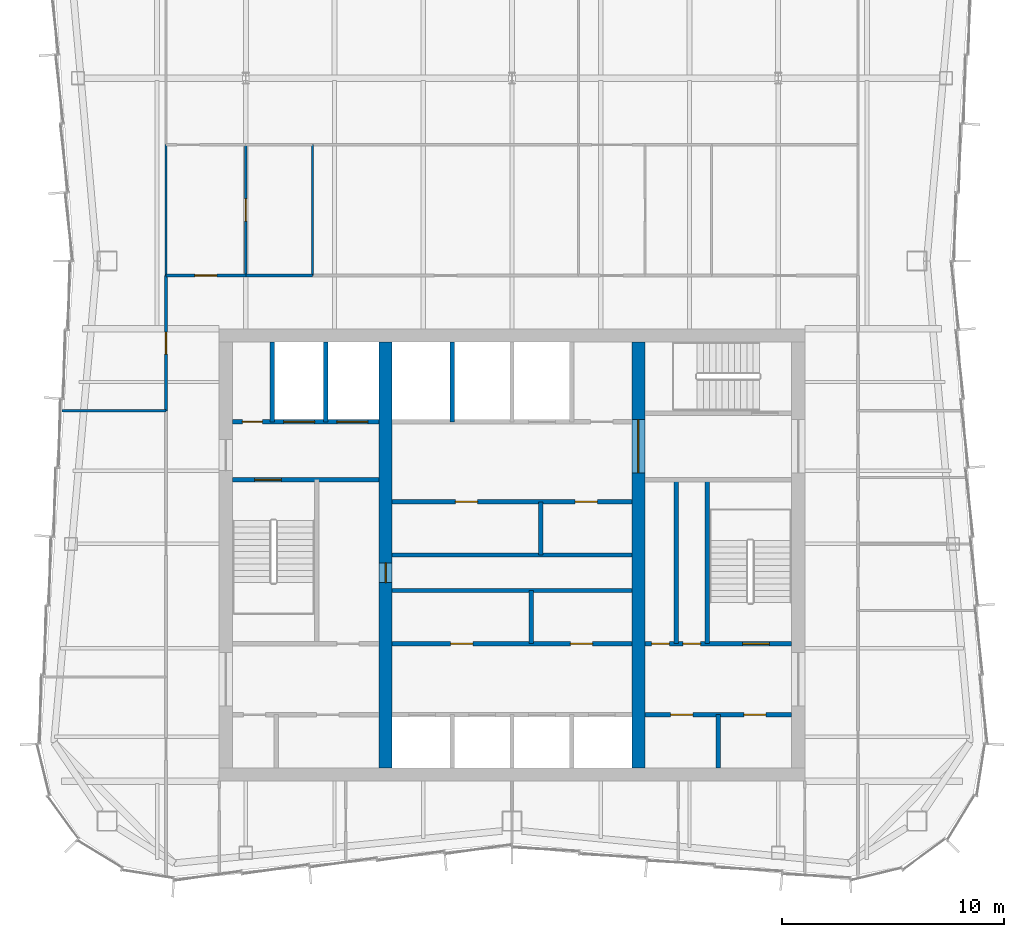
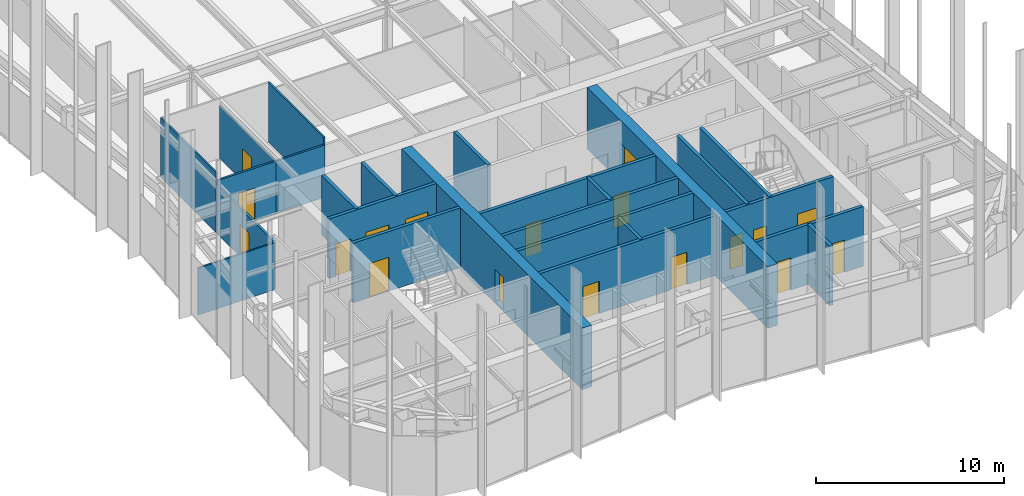
# One storey, part 10 of 13: 25 walls, 18 doors, 18 openings.
"""IFC4 building model written with IfcOpenShell, lengths in metres."""

from ifc_helpers import new_model, si_unit, direction, frame, frame_2d, origin, place, context, subcontext, project, spatial, rectangle, extrude, material, layer, layer_set, type_object, element, fill, save


model = new_model("IFC4")

# Units and contexts
model_context = context("Model", 3, precision=1e-05, world=origin(), true_north=direction((0.0, 1.0)))
body_context = subcontext(model_context, "Body", "Model", "MODEL_VIEW")
ifc_project = project(units=[si_unit("LENGTHUNIT", "METRE"), si_unit("AREAUNIT", "SQUARE_METRE"), si_unit("VOLUMEUNIT", "CUBIC_METRE"), si_unit("PLANEANGLEUNIT", "RADIAN"), si_unit("MASSUNIT", "GRAM", prefix="KILO")], contexts=[model_context])

# Site, building, storey
site_placement = place(None, origin())
site = spatial("IfcSite", under=ifc_project, at=site_placement, CompositionType="ELEMENT")
building_placement = place(site_placement, origin())
building = spatial("IfcBuilding", under=site, at=building_placement, Name="Verdant Reach Tower", CompositionType="ELEMENT")
storey_placement = place(building_placement, frame((0.0, 0.0, 294.0)))
storey = spatial("IfcBuildingStorey", under=building, at=storey_placement, Name="L67", CompositionType="ELEMENT", Elevation=294.0)

# Wall, openings, doors
ifc_material_1 = material(Name="Gypsum board on steel studs", Category="steel")
ifc_layer_1 = layer(ifc_material_1, 0.199951171875)
ifc_layer_set_1 = layer_set([ifc_layer_1], Name="CO-WALL-ROOM")
wall_type_1 = type_object("IfcWallType", Name="CO-WALL-ROOM", PredefinedType="PARTITIONING", material=ifc_layer_set_1)
wall_1_placement = place(storey_placement, frame((6.0, 20.800048828125, 0.0), z_axis=(0.0, 0.0, 1.0), x_axis=(1.0, 0.0, 0.0)))
wall_1 = element("IfcWall", 1, at=wall_1_placement, inside=storey, type_object=wall_type_1, Name="Core partition, L67", PredefinedType="PARTITIONING", context=body_context, shape_type="SweptSolid", body=[
    extrude(rectangle(XDim=6.60009765625, YDim=0.199951171875, at=frame_2d((3.300048828125, 0.0))), origin(), (0.0, 0.0, 1.0), 3.8701171875),
])
opening_1_placement = place(wall_1_placement, frame((1.14990234375, 0.0, 0.0)))
opening_1 = element("IfcOpeningElement", 2, at=opening_1_placement, cuts=wall_1, Name="Opening CD", PredefinedType="OPENING", context=body_context, shape_type="SweptSolid", body=[
    extrude(rectangle(XDim=1.0, YDim=2.10009765625, at=frame_2d((0.5, 1.050048828125))), frame((0.0, 0.10986328125, 0.0), z_axis=(0.0, -1.0, 0.0), x_axis=(1.0, 0.0, 0.0)), (0.0, 0.0, 1.0), 0.219970703125),
])
opening_2_placement = place(wall_1_placement, frame((4.449951171875, 0.0, 0.0)))
opening_2 = element("IfcOpeningElement", 3, at=opening_2_placement, cuts=wall_1, Name="Opening CD", PredefinedType="OPENING", context=body_context, shape_type="SweptSolid", body=[
    extrude(rectangle(XDim=1.0, YDim=2.10009765625, at=frame_2d((0.5, 1.050048828125))), frame((0.0, 0.10986328125, 0.0), z_axis=(0.0, -1.0, 0.0), x_axis=(1.0, 0.0, 0.0)), (0.0, 0.0, 1.0), 0.219970703125),
])
ifc_material_2 = material(Name="Timber", Category="wood")
door_type_1 = type_object("IfcDoorType", Name="CO-DOOR-ROOM", OperationType="NOTDEFINED", PredefinedType="DOOR", material=ifc_material_2)
door_1_placement = place(opening_1_placement, origin())
door_1 = element("IfcDoor", 4, at=door_1_placement, inside=storey, type_object=door_type_1, Name="Core room door, L67", OperationType="SINGLE_SWING_LEFT", OverallHeight=2.10009765625, OverallWidth=1.0, PredefinedType="DOOR", context=body_context, shape_type="SweptSolid", body=[
    extrude(rectangle(XDim=1.0, YDim=2.10009765625, at=frame_2d((0.5, 1.050048828125))), frame((0.0, 0.02490234375, 0.0), z_axis=(0.0, -1.0, 0.0), x_axis=(1.0, 0.0, 0.0)), (0.0, 0.0, 1.0), 0.050048828125),
])
fill(opening_1, door_1)
door_2_placement = place(opening_2_placement, origin())
door_2 = element("IfcDoor", 5, at=door_2_placement, inside=storey, type_object=door_type_1, Name="Core room door, L67", OperationType="SINGLE_SWING_LEFT", OverallHeight=2.10009765625, OverallWidth=1.0, PredefinedType="DOOR", context=body_context, shape_type="SweptSolid", body=[
    extrude(rectangle(XDim=1.0, YDim=2.10009765625, at=frame_2d((0.5, 1.050048828125))), frame((0.0, 0.02490234375, 0.0), z_axis=(0.0, -1.0, 0.0), x_axis=(1.0, 0.0, 0.0)), (0.0, 0.0, 1.0), 0.050048828125),
])
fill(opening_2, door_2)

wall_2_placement = place(storey_placement, frame((-5.39990234375, 24.0, 0.0), z_axis=(0.0, 0.0, 1.0), x_axis=(1.0, 0.0, 0.0)))
wall_2 = element("IfcWall", 6, at=wall_2_placement, inside=storey, type_object=wall_type_1, Name="Core partition, L67", PredefinedType="PARTITIONING", context=body_context, shape_type="SweptSolid", body=[
    extrude(rectangle(XDim=10.7998046875, YDim=0.199951171875, at=frame_2d((5.39990234375, 0.0))), origin(), (0.0, 0.0, 1.0), 3.8701171875),
])
opening_3_placement = place(wall_2_placement, frame((2.632080078125, 0.0, 0.0)))
opening_3 = element("IfcOpeningElement", 7, at=opening_3_placement, cuts=wall_2, Name="Opening CD", PredefinedType="OPENING", context=body_context, shape_type="SweptSolid", body=[
    extrude(rectangle(XDim=1.0, YDim=2.10009765625, at=frame_2d((0.5, 1.050048828125))), frame((0.0, 0.10986328125, 0.0), z_axis=(0.0, -1.0, 0.0), x_axis=(1.0, 0.0, 0.0)), (0.0, 0.0, 1.0), 0.219970703125),
])
opening_4_placement = place(wall_2_placement, frame((8.031982421875, 0.0, 0.0)))
opening_4 = element("IfcOpeningElement", 8, at=opening_4_placement, cuts=wall_2, Name="Opening CD", PredefinedType="OPENING", context=body_context, shape_type="SweptSolid", body=[
    extrude(rectangle(XDim=1.0, YDim=2.10009765625, at=frame_2d((0.5, 1.050048828125))), frame((0.0, 0.10986328125, 0.0), z_axis=(0.0, -1.0, 0.0), x_axis=(1.0, 0.0, 0.0)), (0.0, 0.0, 1.0), 0.219970703125),
])
door_3_placement = place(opening_3_placement, origin())
door_3 = element("IfcDoor", 9, at=door_3_placement, inside=storey, type_object=door_type_1, Name="Core room door, L67", OperationType="SINGLE_SWING_LEFT", OverallHeight=2.10009765625, OverallWidth=1.0, PredefinedType="DOOR", context=body_context, shape_type="SweptSolid", body=[
    extrude(rectangle(XDim=1.0, YDim=2.10009765625, at=frame_2d((0.5, 1.050048828125))), frame((0.0, 0.02490234375, 0.0), z_axis=(0.0, -1.0, 0.0), x_axis=(1.0, 0.0, 0.0)), (0.0, 0.0, 1.0), 0.050048828125),
])
fill(opening_3, door_3)
door_4_placement = place(opening_4_placement, origin())
door_4 = element("IfcDoor", 10, at=door_4_placement, inside=storey, type_object=door_type_1, Name="Core room door, L67", OperationType="SINGLE_SWING_RIGHT", OverallHeight=2.10009765625, OverallWidth=1.0, PredefinedType="DOOR", context=body_context, shape_type="SweptSolid", body=[
    extrude(rectangle(XDim=1.0, YDim=2.10009765625, at=frame_2d((0.5, 1.050048828125))), frame((0.0, 0.02490234375, 0.0), z_axis=(0.0, -1.0, 0.0), x_axis=(1.0, 0.0, 0.0)), (0.0, 0.0, 1.0), 0.050048828125),
])
fill(opening_4, door_4)

# Walls
for number, where, z_axis, x_axis, name in (
    (11, (-5.39990234375, 26.39990234375, 0.0), (0.0, 0.0, 1.0), (1.0, 0.0, 0.0), "Core partition, L67"),
    (12, (-5.39990234375, 28.0, 0.0), (0.0, 0.0, 1.0), (1.0, 0.0, 0.0), "Core partition, L67"),
):
    element("IfcWall", number, at=place(storey_placement, frame(where, z_axis=z_axis, x_axis=x_axis)), inside=storey, type_object=wall_type_1, Name=name, PredefinedType="PARTITIONING", context=body_context, shape_type="SweptSolid", body=[
        extrude(rectangle(XDim=10.7998046875, YDim=0.199951171875, at=frame_2d((5.39990234375, 0.0))), origin(), (0.0, 0.0, 1.0), 3.8701171875),
    ])

# Wall, openings, doors
wall_3_placement = place(storey_placement, frame((-5.39990234375, 30.39990234375, 0.0), z_axis=(0.0, 0.0, 1.0), x_axis=(1.0, 0.0, 0.0)))
wall_3 = element("IfcWall", 13, at=wall_3_placement, inside=storey, type_object=wall_type_1, Name="Core partition, L67", PredefinedType="PARTITIONING", context=body_context, shape_type="SweptSolid", body=[
    extrude(rectangle(XDim=10.7998046875, YDim=0.199951171875, at=frame_2d((5.39990234375, 0.0))), origin(), (0.0, 0.0, 1.0), 3.8701171875),
])
opening_5_placement = place(wall_3_placement, frame((2.847900390625, 0.0, 0.0)))
opening_5 = element("IfcOpeningElement", 14, at=opening_5_placement, cuts=wall_3, Name="Opening CD", PredefinedType="OPENING", context=body_context, shape_type="SweptSolid", body=[
    extrude(rectangle(XDim=1.0, YDim=2.10009765625, at=frame_2d((0.5, 1.050048828125))), frame((0.0, 0.10986328125, 0.0), z_axis=(0.0, -1.0, 0.0), x_axis=(1.0, 0.0, 0.0)), (0.0, 0.0, 1.0), 0.219970703125),
])
opening_6_placement = place(wall_3_placement, frame((8.248046875, 0.0, 0.0)))
opening_6 = element("IfcOpeningElement", 15, at=opening_6_placement, cuts=wall_3, Name="Opening CD", PredefinedType="OPENING", context=body_context, shape_type="SweptSolid", body=[
    extrude(rectangle(XDim=1.0, YDim=2.10009765625, at=frame_2d((0.5, 1.050048828125))), frame((0.0, 0.10986328125, 0.0), z_axis=(0.0, -1.0, 0.0), x_axis=(1.0, 0.0, 0.0)), (0.0, 0.0, 1.0), 0.219970703125),
])
door_5_placement = place(opening_5_placement, origin())
door_5 = element("IfcDoor", 16, at=door_5_placement, inside=storey, type_object=door_type_1, Name="Core room door, L67", OperationType="SINGLE_SWING_LEFT", OverallHeight=2.10009765625, OverallWidth=1.0, PredefinedType="DOOR", context=body_context, shape_type="SweptSolid", body=[
    extrude(rectangle(XDim=1.0, YDim=2.10009765625, at=frame_2d((0.5, 1.050048828125))), frame((0.0, 0.02490234375, 0.0), z_axis=(0.0, -1.0, 0.0), x_axis=(1.0, 0.0, 0.0)), (0.0, 0.0, 1.0), 0.050048828125),
])
fill(opening_5, door_5)
door_6_placement = place(opening_6_placement, origin())
door_6 = element("IfcDoor", 17, at=door_6_placement, inside=storey, type_object=door_type_1, Name="Core room door, L67", OperationType="SINGLE_SWING_RIGHT", OverallHeight=2.10009765625, OverallWidth=1.0, PredefinedType="DOOR", context=body_context, shape_type="SweptSolid", body=[
    extrude(rectangle(XDim=1.0, YDim=2.10009765625, at=frame_2d((0.5, 1.050048828125))), frame((0.0, 0.02490234375, 0.0), z_axis=(0.0, -1.0, 0.0), x_axis=(1.0, 0.0, 0.0)), (0.0, 0.0, 1.0), 0.050048828125),
])
fill(opening_6, door_6)

# Walls
for number, where, z_axis, x_axis, name in (
    (18, (0.864013671875, 24.0, 0.0), (0.0, 0.0, 1.0), (0.0, 1.0, 0.0), "Core partition, L67"),
    (19, (1.2958984375, 28.0, 0.0), (0.0, 0.0, 1.0), (0.0, 1.0, 0.0), "Core partition, L67"),
):
    element("IfcWall", number, at=place(storey_placement, frame(where, z_axis=z_axis, x_axis=x_axis)), inside=storey, type_object=wall_type_1, Name=name, PredefinedType="PARTITIONING", context=body_context, shape_type="SweptSolid", body=[
        extrude(rectangle(XDim=2.39990234375, YDim=0.199951171875, at=frame_2d((1.199951171875, 0.0))), origin(), (0.0, 0.0, 1.0), 3.8701171875),
    ])
wall_4_placement = place(storey_placement, frame((7.39990234375, 24.0, 0.0), z_axis=(0.0, 0.0, 1.0), x_axis=(0.0, 1.0, 0.0)))
element("IfcWall", 20, at=wall_4_placement, inside=storey, type_object=wall_type_1, Name="Core partition, L67", PredefinedType="PARTITIONING", context=body_context, shape_type="SweptSolid", body=[
    extrude(rectangle(XDim=7.39990234375, YDim=0.199951171875, at=frame_2d((3.699951171875, 0.0))), origin(), (0.0, 0.0, 1.0), 3.8701171875),
])
wall_5_placement = place(storey_placement, frame((9.300048828125, 18.39990234375, 0.0), z_axis=(0.0, 0.0, 1.0), x_axis=(0.0, 1.0, 0.0)))
element("IfcWall", 21, at=wall_5_placement, inside=storey, type_object=wall_type_1, Name="Core partition, L67", PredefinedType="PARTITIONING", context=body_context, shape_type="SweptSolid", body=[
    extrude(rectangle(XDim=2.400146484375, YDim=0.199951171875, at=frame_2d((1.2001953125, 0.0))), origin(), (0.0, 0.0, 1.0), 3.8701171875),
])

# Wall, openings, doors
ifc_material_3 = material(Name="Concrete C40/50", Category="concrete")
ifc_layer_2 = layer(ifc_material_3, 0.199951171875)
ifc_layer_set_2 = layer_set([ifc_layer_2], Name="CO-WALL-SHAFT")
wall_type_2 = type_object("IfcWallType", Name="CO-WALL-SHAFT", PredefinedType="PARTITIONING", material=ifc_layer_set_2)
wall_6_placement = place(storey_placement, frame((-12.60009765625, 34.0, 0.0), z_axis=(0.0, 0.0, 1.0), x_axis=(1.0, 0.0, 0.0)))
wall_6 = element("IfcWall", 22, at=wall_6_placement, inside=storey, type_object=wall_type_2, Name="Lift shaft wall, L67", PredefinedType="PARTITIONING", context=body_context, shape_type="SweptSolid", body=[
    extrude(rectangle(XDim=6.60009765625, YDim=0.199951171875, at=frame_2d((3.300048828125, 0.0))), origin(), (0.0, 0.0, 1.0), 3.8701171875),
])
opening_7_placement = place(wall_6_placement, frame((4.699951171875, 0.0, 0.0)))
opening_7 = element("IfcOpeningElement", 23, at=opening_7_placement, cuts=wall_6, Name="Opening LD-F1", PredefinedType="OPENING", context=body_context, shape_type="SweptSolid", body=[
    extrude(rectangle(XDim=1.39990234375, YDim=2.199951171875, at=frame_2d((0.699951171875, 1.10009765625))), frame((0.0, 0.10986328125, 0.0), z_axis=(0.0, -1.0, 0.0), x_axis=(1.0, 0.0, 0.0)), (0.0, 0.0, 1.0), 0.219970703125),
])
opening_8_placement = place(wall_6_placement, frame((2.300048828125, 0.0, 0.0)))
opening_8 = element("IfcOpeningElement", 24, at=opening_8_placement, cuts=wall_6, Name="Opening LD-F2", PredefinedType="OPENING", context=body_context, shape_type="SweptSolid", body=[
    extrude(rectangle(XDim=1.39990234375, YDim=2.199951171875, at=frame_2d((0.699951171875, 1.10009765625))), frame((0.0, 0.10986328125, 0.0), z_axis=(0.0, -1.0, 0.0), x_axis=(1.0, 0.0, 0.0)), (0.0, 0.0, 1.0), 0.219970703125),
])
opening_9_placement = place(wall_6_placement, frame((0.449951171875, 0.0, 0.0)))
opening_9 = element("IfcOpeningElement", 25, at=opening_9_placement, cuts=wall_6, Name="Opening RD", PredefinedType="OPENING", context=body_context, shape_type="SweptSolid", body=[
    extrude(rectangle(XDim=0.89990234375, YDim=2.10009765625, at=frame_2d((0.449951171875, 1.050048828125))), frame((0.0, 0.10986328125, 0.0), z_axis=(0.0, -1.0, 0.0), x_axis=(1.0, 0.0, 0.0)), (0.0, 0.0, 1.0), 0.219970703125),
])
ifc_material_4 = material(Name="Stainless steel", Category="steel")
door_type_2 = type_object("IfcDoorType", Name="CO-DOOR-LANDING-FF", OperationType="SLIDING_TO_LEFT", PredefinedType="DOOR", material=ifc_material_4)
door_7_placement = place(opening_7_placement, origin())
door_7 = element("IfcDoor", 26, at=door_7_placement, inside=storey, type_object=door_type_2, Name="Landing door F1, L67", OperationType="SLIDING_TO_LEFT", OverallHeight=2.199951171875, OverallWidth=1.39990234375, PredefinedType="DOOR", context=body_context, shape_type="SweptSolid", body=[
    extrude(rectangle(XDim=1.39990234375, YDim=2.199951171875, at=frame_2d((0.699951171875, 1.10009765625))), frame((0.0, 0.02490234375, 0.0), z_axis=(0.0, -1.0, 0.0), x_axis=(1.0, 0.0, 0.0)), (0.0, 0.0, 1.0), 0.050048828125),
])
fill(opening_7, door_7)
door_8_placement = place(opening_8_placement, origin())
door_8 = element("IfcDoor", 27, at=door_8_placement, inside=storey, type_object=door_type_2, Name="Landing door F2, L67", OperationType="SLIDING_TO_LEFT", OverallHeight=2.199951171875, OverallWidth=1.39990234375, PredefinedType="DOOR", context=body_context, shape_type="SweptSolid", body=[
    extrude(rectangle(XDim=1.39990234375, YDim=2.199951171875, at=frame_2d((0.699951171875, 1.10009765625))), frame((0.0, 0.02490234375, 0.0), z_axis=(0.0, -1.0, 0.0), x_axis=(1.0, 0.0, 0.0)), (0.0, 0.0, 1.0), 0.050048828125),
])
fill(opening_8, door_8)
ifc_material_5 = material(Name="Steel", Category="steel")
door_type_3 = type_object("IfcDoorType", Name="CO-DOOR-RISER", OperationType="NOTDEFINED", PredefinedType="DOOR", material=ifc_material_5)
door_9_placement = place(opening_9_placement, origin())
door_9 = element("IfcDoor", 28, at=door_9_placement, inside=storey, type_object=door_type_3, Name="Core room door, L67", OperationType="SINGLE_SWING_RIGHT", OverallHeight=2.10009765625, OverallWidth=0.89990234375, PredefinedType="DOOR", context=body_context, shape_type="SweptSolid", body=[
    extrude(rectangle(XDim=0.89990234375, YDim=2.10009765625, at=frame_2d((0.449951171875, 1.050048828125))), frame((0.0, 0.02490234375, 0.0), z_axis=(0.0, -1.0, 0.0), x_axis=(1.0, 0.0, 0.0)), (0.0, 0.0, 1.0), 0.050048828125),
])
fill(opening_9, door_9)

# Walls
for number, where, z_axis, x_axis, name in (
    (29, (-10.800048828125, 34.0, 0.0), (0.0, 0.0, 1.0), (0.0, 1.0, 0.0), "Lift shaft wall, L67"),
    (30, (-8.39990234375, 34.0, 0.0), (0.0, 0.0, 1.0), (0.0, 1.0, 0.0), "Lift shaft wall, L67"),
    (31, (-2.699951171875, 34.0, 0.0), (0.0, 0.0, 1.0), (0.0, 1.0, 0.0), "Lift shaft wall, L67"),
):
    element("IfcWall", number, at=place(storey_placement, frame(where, z_axis=z_axis, x_axis=x_axis)), inside=storey, type_object=wall_type_2, Name=name, PredefinedType="PARTITIONING", context=body_context, shape_type="SweptSolid", body=[
        extrude(rectangle(XDim=3.60009765625, YDim=0.199951171875, at=frame_2d((1.800048828125, 0.0))), origin(), (0.0, 0.0, 1.0), 3.8701171875),
    ])

# Wall, openings, doors
ifc_layer_3 = layer(ifc_material_3, 0.199951171875)
ifc_layer_set_3 = layer_set([ifc_layer_3], Name="CO-WALL-STAIR")
wall_type_3 = type_object("IfcWallType", Name="CO-WALL-STAIR", PredefinedType="PARTITIONING", material=ifc_layer_set_3)
wall_7_placement = place(storey_placement, frame((6.0, 24.0, 0.0), z_axis=(0.0, 0.0, 1.0), x_axis=(1.0, 0.0, 0.0)))
wall_7 = element("IfcWall", 32, at=wall_7_placement, inside=storey, type_object=wall_type_3, Name="Stair enclosure wall, L67", PredefinedType="PARTITIONING", context=body_context, shape_type="SweptSolid", body=[
    extrude(rectangle(XDim=6.60009765625, YDim=0.199951171875, at=frame_2d((3.300048828125, 0.0))), origin(), (0.0, 0.0, 1.0), 3.8701171875),
])
opening_10_placement = place(wall_7_placement, frame((0.300048828125, 0.0, 0.0)))
opening_10 = element("IfcOpeningElement", 33, at=opening_10_placement, cuts=wall_7, Name="Opening CDN", PredefinedType="OPENING", context=body_context, shape_type="SweptSolid", body=[
    extrude(rectangle(XDim=0.800048828125, YDim=2.10009765625, at=frame_2d((0.39990234375, 1.050048828125))), frame((0.0, 0.10986328125, 0.0), z_axis=(0.0, -1.0, 0.0), x_axis=(1.0, 0.0, 0.0)), (0.0, 0.0, 1.0), 0.219970703125),
])
opening_11_placement = place(wall_7_placement, frame((1.699951171875, 0.0, 0.0)))
opening_11 = element("IfcOpeningElement", 34, at=opening_11_placement, cuts=wall_7, Name="Opening CDN", PredefinedType="OPENING", context=body_context, shape_type="SweptSolid", body=[
    extrude(rectangle(XDim=0.800048828125, YDim=2.10009765625, at=frame_2d((0.39990234375, 1.050048828125))), frame((0.0, 0.10986328125, 0.0), z_axis=(0.0, -1.0, 0.0), x_axis=(1.0, 0.0, 0.0)), (0.0, 0.0, 1.0), 0.219970703125),
])
opening_12_placement = place(wall_7_placement, frame((4.39990234375, 0.0, 0.0)))
opening_12 = element("IfcOpeningElement", 35, at=opening_12_placement, cuts=wall_7, Name="Opening SD", PredefinedType="OPENING", context=body_context, shape_type="SweptSolid", body=[
    extrude(rectangle(XDim=1.199951171875, YDim=2.199951171875, at=frame_2d((0.60009765625, 1.10009765625))), frame((0.0, 0.10986328125, 0.0), z_axis=(0.0, -1.0, 0.0), x_axis=(1.0, 0.0, 0.0)), (0.0, 0.0, 1.0), 0.219970703125),
])
door_type_4 = type_object("IfcDoorType", Name="CO-DOOR-ROOM-NARROW", OperationType="NOTDEFINED", PredefinedType="DOOR", material=ifc_material_2)
door_10_placement = place(opening_10_placement, origin())
door_10 = element("IfcDoor", 36, at=door_10_placement, inside=storey, type_object=door_type_4, Name="Core room door, L67", OperationType="SINGLE_SWING_RIGHT", OverallHeight=2.10009765625, OverallWidth=0.800048828125, PredefinedType="DOOR", context=body_context, shape_type="SweptSolid", body=[
    extrude(rectangle(XDim=0.800048828125, YDim=2.10009765625, at=frame_2d((0.39990234375, 1.050048828125))), frame((0.0, 0.02490234375, 0.0), z_axis=(0.0, -1.0, 0.0), x_axis=(1.0, 0.0, 0.0)), (0.0, 0.0, 1.0), 0.050048828125),
])
fill(opening_10, door_10)
door_11_placement = place(opening_11_placement, origin())
door_11 = element("IfcDoor", 37, at=door_11_placement, inside=storey, type_object=door_type_4, Name="Core room door, L67", OperationType="SINGLE_SWING_LEFT", OverallHeight=2.10009765625, OverallWidth=0.800048828125, PredefinedType="DOOR", context=body_context, shape_type="SweptSolid", body=[
    extrude(rectangle(XDim=0.800048828125, YDim=2.10009765625, at=frame_2d((0.39990234375, 1.050048828125))), frame((0.0, 0.02490234375, 0.0), z_axis=(0.0, -1.0, 0.0), x_axis=(1.0, 0.0, 0.0)), (0.0, 0.0, 1.0), 0.050048828125),
])
fill(opening_11, door_11)
door_type_5 = type_object("IfcDoorType", Name="CO-DOOR-STAIR", OperationType="NOTDEFINED", PredefinedType="DOOR", material=ifc_material_5)
door_12_placement = place(opening_12_placement, origin())
door_12 = element("IfcDoor", 38, at=door_12_placement, inside=storey, type_object=door_type_5, Name="Stair door, L67", OperationType="SINGLE_SWING_RIGHT", OverallHeight=2.199951171875, OverallWidth=1.199951171875, PredefinedType="DOOR", context=body_context, shape_type="SweptSolid", body=[
    extrude(rectangle(XDim=1.199951171875, YDim=2.199951171875, at=frame_2d((0.60009765625, 1.10009765625))), frame((0.0, 0.02490234375, 0.0), z_axis=(0.0, -1.0, 0.0), x_axis=(1.0, 0.0, 0.0)), (0.0, 0.0, 1.0), 0.050048828125),
])
fill(opening_12, door_12)

# Wall, opening, door
wall_8_placement = place(storey_placement, frame((-12.60009765625, 31.39990234375, 0.0), z_axis=(0.0, 0.0, 1.0), x_axis=(1.0, 0.0, 0.0)))
wall_8 = element("IfcWall", 39, at=wall_8_placement, inside=storey, type_object=wall_type_3, Name="Stair enclosure wall, L67", PredefinedType="PARTITIONING", context=body_context, shape_type="SweptSolid", body=[
    extrude(rectangle(XDim=6.60009765625, YDim=0.199951171875, at=frame_2d((3.300048828125, 0.0))), origin(), (0.0, 0.0, 1.0), 3.8701171875),
])
opening_13_placement = place(wall_8_placement, frame((1.0, 0.0, 0.0)))
opening_13 = element("IfcOpeningElement", 40, at=opening_13_placement, cuts=wall_8, Name="Opening SD", PredefinedType="OPENING", context=body_context, shape_type="SweptSolid", body=[
    extrude(rectangle(XDim=1.199951171875, YDim=2.199951171875, at=frame_2d((0.60009765625, 1.10009765625))), frame((0.0, 0.10986328125, 0.0), z_axis=(0.0, -1.0, 0.0), x_axis=(1.0, 0.0, 0.0)), (0.0, 0.0, 1.0), 0.219970703125),
])
door_13_placement = place(opening_13_placement, origin())
door_13 = element("IfcDoor", 41, at=door_13_placement, inside=storey, type_object=door_type_5, Name="Stair door, L67", OperationType="SINGLE_SWING_LEFT", OverallHeight=2.199951171875, OverallWidth=1.199951171875, PredefinedType="DOOR", context=body_context, shape_type="SweptSolid", body=[
    extrude(rectangle(XDim=1.199951171875, YDim=2.199951171875, at=frame_2d((0.60009765625, 1.10009765625))), frame((0.0, 0.02490234375, 0.0), z_axis=(0.0, -1.0, 0.0), x_axis=(1.0, 0.0, 0.0)), (0.0, 0.0, 1.0), 0.050048828125),
])
fill(opening_13, door_13)

# Walls
wall_9_placement = place(storey_placement, frame((8.800048828125, 24.0, 0.0), z_axis=(0.0, 0.0, 1.0), x_axis=(0.0, 1.0, 0.0)))
element("IfcWall", 42, at=wall_9_placement, inside=storey, type_object=wall_type_3, Name="Stair enclosure wall, L67", PredefinedType="PARTITIONING", context=body_context, shape_type="SweptSolid", body=[
    extrude(rectangle(XDim=7.39990234375, YDim=0.199951171875, at=frame_2d((3.699951171875, 0.0))), origin(), (0.0, 0.0, 1.0), 3.8701171875),
])
ifc_layer_4 = layer(ifc_material_1, 0.10009765625)
ifc_layer_set_4 = layer_set([ifc_layer_4], Name="FL-W1 Partition 100")
wall_type_4 = type_object("IfcWallType", Name="FL-W1 Partition 100", PredefinedType="PARTITIONING", material=ifc_layer_set_4)
wall_10_placement = place(storey_placement, frame((-15.60009765625, 34.5, 0.0), z_axis=(0.0, 0.0, 1.0), x_axis=(-1.0, 0.0, 0.0)))
element("IfcWall", 43, at=wall_10_placement, inside=storey, type_object=wall_type_4, Name="Partition 67.18", PredefinedType="PARTITIONING", context=body_context, shape_type="SweptSolid", body=[
    extrude(rectangle(XDim=4.6953125, YDim=0.10009765625, at=frame_2d((2.34765625, 0.0))), origin(), (0.0, 0.0, 1.0), 3.0400390625),
])
wall_11_placement = place(storey_placement, frame((-15.60009765625, 40.60009765625, 0.0), z_axis=(0.0, 0.0, 1.0), x_axis=(0.0, 1.0, 0.0)))
element("IfcWall", 44, at=wall_11_placement, inside=storey, type_object=wall_type_4, Name="Partition 67.19", PredefinedType="PARTITIONING", context=body_context, shape_type="SweptSolid", body=[
    extrude(rectangle(XDim=5.89990234375, YDim=0.10009765625, at=frame_2d((2.949951171875, 0.0))), origin(), (0.0, 0.0, 1.0), 3.8701171875),
])

# Wall, opening, door
wall_12_placement = place(storey_placement, frame((-12.0, 46.5, 0.0), z_axis=(0.0, 0.0, 1.0), x_axis=(0.0, -1.0, 0.0)))
wall_12 = element("IfcWall", 45, at=wall_12_placement, inside=storey, type_object=wall_type_4, Name="Partition 67.32", PredefinedType="PARTITIONING", context=body_context, shape_type="SweptSolid", body=[
    extrude(rectangle(XDim=5.89990234375, YDim=0.10009765625, at=frame_2d((2.949951171875, 0.0))), origin(), (0.0, 0.0, 1.0), 3.389892578125),
])
opening_14_placement = place(wall_12_placement, frame((2.449951171875, 0.0, 0.0)))
opening_14 = element("IfcOpeningElement", 46, at=opening_14_placement, cuts=wall_12, Name="Opening D3", PredefinedType="OPENING", context=body_context, shape_type="SweptSolid", body=[
    extrude(rectangle(XDim=1.0, YDim=2.10009765625, at=frame_2d((0.5, 1.050048828125))), frame((0.0, 0.06005859375, 0.0), z_axis=(0.0, -1.0, 0.0), x_axis=(1.0, 0.0, 0.0)), (0.0, 0.0, 1.0), 0.1201171875),
])
ifc_material_6 = material(Name="Painted timber door leaf", Category="wood")
door_type_6 = type_object("IfcDoorType", Name="FL-D3 Door 1000x2100", OperationType="NOTDEFINED", PredefinedType="DOOR", material=ifc_material_6)
door_14_placement = place(opening_14_placement, origin())
door_14 = element("IfcDoor", 47, at=door_14_placement, inside=storey, type_object=door_type_6, Name="Door 67-017", OperationType="SINGLE_SWING_LEFT", OverallHeight=2.10009765625, OverallWidth=1.0, PredefinedType="DOOR", context=body_context, shape_type="SweptSolid", body=[
    extrude(rectangle(XDim=1.0, YDim=2.10009765625, at=frame_2d((0.5, 1.050048828125))), frame((0.0, 0.02490234375, 0.0), z_axis=(0.0, -1.0, 0.0), x_axis=(1.0, 0.0, 0.0)), (0.0, 0.0, 1.0), 0.050048828125),
])
fill(opening_14, door_14)

# Wall
wall_13_placement = place(storey_placement, frame((-9.0, 40.60009765625, 0.0), z_axis=(0.0, 0.0, 1.0), x_axis=(0.0, 1.0, 0.0)))
element("IfcWall", 48, at=wall_13_placement, inside=storey, type_object=wall_type_4, Name="Partition 67.34", PredefinedType="PARTITIONING", context=body_context, shape_type="SweptSolid", body=[
    extrude(rectangle(XDim=5.89990234375, YDim=0.10009765625, at=frame_2d((2.949951171875, 0.0))), origin(), (0.0, 0.0, 1.0), 3.8701171875),
])

# Wall, opening, door
ifc_material_7 = material(Name="Gypsum board on steel studs, fire rated", Category="steel")
ifc_layer_5 = layer(ifc_material_7, 0.125)
ifc_layer_set_5 = layer_set([ifc_layer_5], Name="FL-W2 Corridor wall 125")
wall_type_5 = type_object("IfcWallType", Name="FL-W2 Corridor wall 125", PredefinedType="PARTITIONING", material=ifc_layer_set_5)
wall_14_placement = place(storey_placement, frame((-15.60009765625, 34.5, 0.0), z_axis=(0.0, 0.0, 1.0), x_axis=(0.0, 1.0, 0.0)))
wall_14 = element("IfcWall", 49, at=wall_14_placement, inside=storey, type_object=wall_type_5, Name="Partition 67.03", PredefinedType="PARTITIONING", context=body_context, shape_type="SweptSolid", body=[
    extrude(rectangle(XDim=6.10400390625, YDim=0.125, at=frame_2d((3.052001953125, 0.0))), origin(), (0.0, 0.0, 1.0), 3.139892578125),
])
opening_15_placement = place(wall_14_placement, frame((2.552001953125, 0.0, 0.0)))
opening_15 = element("IfcOpeningElement", 50, at=opening_15_placement, cuts=wall_14, Name="Opening D2", PredefinedType="OPENING", context=body_context, shape_type="SweptSolid", body=[
    extrude(rectangle(XDim=1.0, YDim=2.10009765625, at=frame_2d((0.5, 1.050048828125))), frame((0.0, 0.072509765625, 0.0), z_axis=(0.0, -1.0, 0.0), x_axis=(1.0, 0.0, 0.0)), (0.0, 0.0, 1.0), 0.14501953125),
])
ifc_material_8 = material(Name="Timber door leaf, fire rated", Category="wood")
door_type_7 = type_object("IfcDoorType", Name="FL-D2 Entrance door 1000x2100 FD30", OperationType="NOTDEFINED", PredefinedType="DOOR", material=ifc_material_8)
door_15_placement = place(opening_15_placement, origin())
door_15 = element("IfcDoor", 51, at=door_15_placement, inside=storey, type_object=door_type_7, Name="Door 67-003", OperationType="SINGLE_SWING_LEFT", OverallHeight=2.10009765625, OverallWidth=1.0, PredefinedType="DOOR", context=body_context, shape_type="SweptSolid", body=[
    extrude(rectangle(XDim=1.0, YDim=2.10009765625, at=frame_2d((0.5, 1.050048828125))), frame((0.0, 0.02490234375, 0.0), z_axis=(0.0, -1.0, 0.0), x_axis=(1.0, 0.0, 0.0)), (0.0, 0.0, 1.0), 0.050048828125),
])
fill(opening_15, door_15)

wall_15_placement = place(storey_placement, frame((-15.60009765625, 40.60009765625, 0.0), z_axis=(0.0, 0.0, 1.0), x_axis=(1.0, 0.0, 0.0)))
wall_15 = element("IfcWall", 52, at=wall_15_placement, inside=storey, type_object=wall_type_5, Name="Partition 67.11", PredefinedType="PARTITIONING", context=body_context, shape_type="SweptSolid", body=[
    extrude(rectangle(XDim=3.60009765625, YDim=0.125, at=frame_2d((1.800048828125, 0.0))), origin(), (0.0, 0.0, 1.0), 3.389892578125),
])
opening_16_placement = place(wall_15_placement, frame((1.300048828125, 0.0, 0.0)))
opening_16 = element("IfcOpeningElement", 53, at=opening_16_placement, cuts=wall_15, Name="Opening D2", PredefinedType="OPENING", context=body_context, shape_type="SweptSolid", body=[
    extrude(rectangle(XDim=1.0, YDim=2.10009765625, at=frame_2d((0.5, 1.050048828125))), frame((0.0, 0.072509765625, 0.0), z_axis=(0.0, -1.0, 0.0), x_axis=(1.0, 0.0, 0.0)), (0.0, 0.0, 1.0), 0.14501953125),
])
door_16_placement = place(opening_16_placement, origin())
door_16 = element("IfcDoor", 54, at=door_16_placement, inside=storey, type_object=door_type_7, Name="Door 67-011", OperationType="SINGLE_SWING_LEFT", OverallHeight=2.10009765625, OverallWidth=1.0, PredefinedType="DOOR", context=body_context, shape_type="SweptSolid", body=[
    extrude(rectangle(XDim=1.0, YDim=2.10009765625, at=frame_2d((0.5, 1.050048828125))), frame((0.0, 0.02490234375, 0.0), z_axis=(0.0, -1.0, 0.0), x_axis=(1.0, 0.0, 0.0)), (0.0, 0.0, 1.0), 0.050048828125),
])
fill(opening_16, door_16)

# Wall
wall_16_placement = place(storey_placement, frame((-9.0, 40.60009765625, 0.0), z_axis=(0.0, 0.0, 1.0), x_axis=(-1.0, 0.0, 0.0)))
element("IfcWall", 55, at=wall_16_placement, inside=storey, type_object=wall_type_5, Name="Partition 67.12", PredefinedType="PARTITIONING", context=body_context, shape_type="SweptSolid", body=[
    extrude(rectangle(XDim=3.0, YDim=0.125, at=frame_2d((1.5, 0.0))), origin(), (0.0, 0.0, 1.0), 3.389892578125),
])

# Wall, opening, door
ifc_material_9 = material(Name="Concrete C70/85", Category="concrete")
ifc_layer_6 = layer(ifc_material_9, 0.60009765625)
ifc_layer_set_6 = layer_set([ifc_layer_6], Name="ST-CORE-WALL-600")
wall_type_6 = type_object("IfcWallType", Name="ST-CORE-WALL-600", PredefinedType="SHEAR", material=ifc_layer_set_6)
wall_17_placement = place(storey_placement, frame((-5.699951171875, 18.39990234375, -0.1298828125), z_axis=(0.0, 0.0, 1.0), x_axis=(0.0, 1.0, 0.0)))
wall_17 = element("IfcWall", 56, at=wall_17_placement, inside=storey, type_object=wall_type_6, Name="Core wall XW, L67", PredefinedType="SHEAR", context=body_context, shape_type="SweptSolid", body=[
    extrude(rectangle(XDim=19.2001953125, YDim=0.60009765625, at=frame_2d((9.60009765625, 0.0))), origin(), (0.0, 0.0, 1.0), 4.0),
])
opening_17_placement = place(wall_17_placement, frame((8.35009765625, 0.0, 0.1298828125)))
opening_17 = element("IfcOpeningElement", 57, at=opening_17_placement, cuts=wall_17, Name="Opening RD", PredefinedType="OPENING", context=body_context, shape_type="SweptSolid", body=[
    extrude(rectangle(XDim=0.89990234375, YDim=2.10009765625, at=frame_2d((0.449951171875, 1.050048828125))), frame((0.0, 0.31005859375, 0.0), z_axis=(0.0, -1.0, 0.0), x_axis=(1.0, 0.0, 0.0)), (0.0, 0.0, 1.0), 0.6201171875),
])
door_17_placement = place(opening_17_placement, origin())
door_17 = element("IfcDoor", 58, at=door_17_placement, inside=storey, type_object=door_type_3, Name="Riser door, L67", OperationType="SINGLE_SWING_LEFT", OverallHeight=2.10009765625, OverallWidth=0.89990234375, PredefinedType="DOOR", context=body_context, shape_type="SweptSolid", body=[
    extrude(rectangle(XDim=0.89990234375, YDim=2.10009765625, at=frame_2d((0.449951171875, 1.050048828125))), frame((0.0, 0.02490234375, 0.0), z_axis=(0.0, -1.0, 0.0), x_axis=(1.0, 0.0, 0.0)), (0.0, 0.0, 1.0), 0.050048828125),
])
fill(opening_17, door_17)

wall_18_placement = place(storey_placement, frame((5.699951171875, 18.39990234375, -0.1298828125), z_axis=(0.0, 0.0, 1.0), x_axis=(0.0, 1.0, 0.0)))
wall_18 = element("IfcWall", 59, at=wall_18_placement, inside=storey, type_object=wall_type_6, Name="Core wall XE, L67", PredefinedType="SHEAR", context=body_context, shape_type="SweptSolid", body=[
    extrude(rectangle(XDim=19.2001953125, YDim=0.60009765625, at=frame_2d((9.60009765625, 0.0))), origin(), (0.0, 0.0, 1.0), 4.0),
])
opening_18_placement = place(wall_18_placement, frame((13.300048828125, 0.0, 0.1298828125)))
opening_18 = element("IfcOpeningElement", 60, at=opening_18_placement, cuts=wall_18, Name="Opening LB", PredefinedType="OPENING", context=body_context, shape_type="SweptSolid", body=[
    extrude(rectangle(XDim=2.39990234375, YDim=2.39990234375, at=frame_2d((1.199951171875, 1.199951171875))), frame((0.0, 0.31005859375, 0.0), z_axis=(0.0, -1.0, 0.0), x_axis=(1.0, 0.0, 0.0)), (0.0, 0.0, 1.0), 0.6201171875),
])
ifc_material_10 = material(Name="Glass and steel", Category="steel")
door_type_8 = type_object("IfcDoorType", Name="CO-DOOR-LOBBY", OperationType="DOUBLE_DOOR_SINGLE_SWING", PredefinedType="DOOR", material=ifc_material_10)
door_18_placement = place(opening_18_placement, origin())
door_18 = element("IfcDoor", 61, at=door_18_placement, inside=storey, type_object=door_type_8, Name="Core entrance door, L67", OperationType="DOUBLE_DOOR_SINGLE_SWING", OverallHeight=2.39990234375, OverallWidth=2.39990234375, PredefinedType="DOOR", context=body_context, shape_type="SweptSolid", body=[
    extrude(rectangle(XDim=2.39990234375, YDim=2.39990234375, at=frame_2d((1.199951171875, 1.199951171875))), frame((0.0, 0.02490234375, 0.0), z_axis=(0.0, -1.0, 0.0), x_axis=(1.0, 0.0, 0.0)), (0.0, 0.0, 1.0), 0.050048828125),
])
fill(opening_18, door_18)

save(model, "model.ifc")
